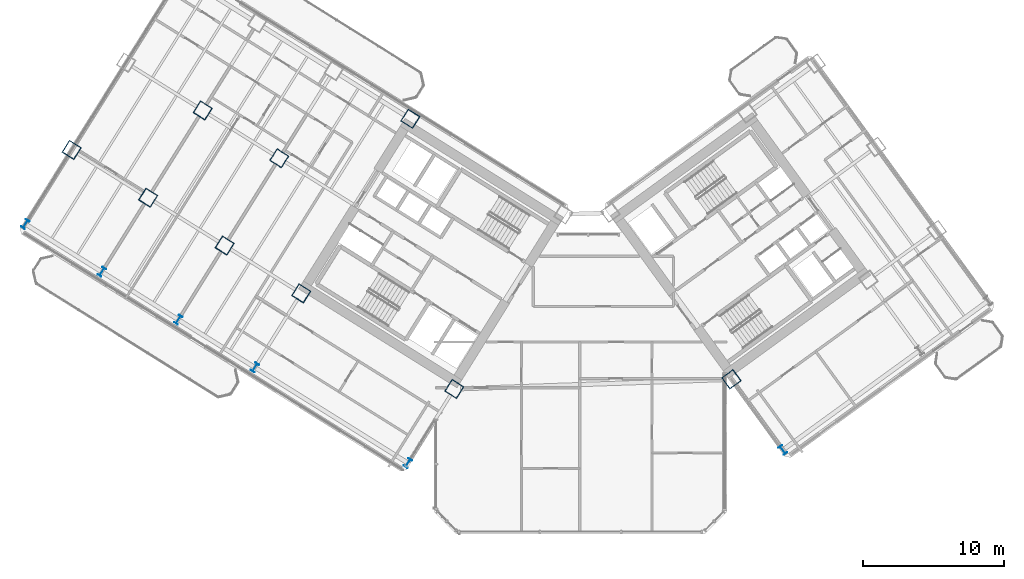
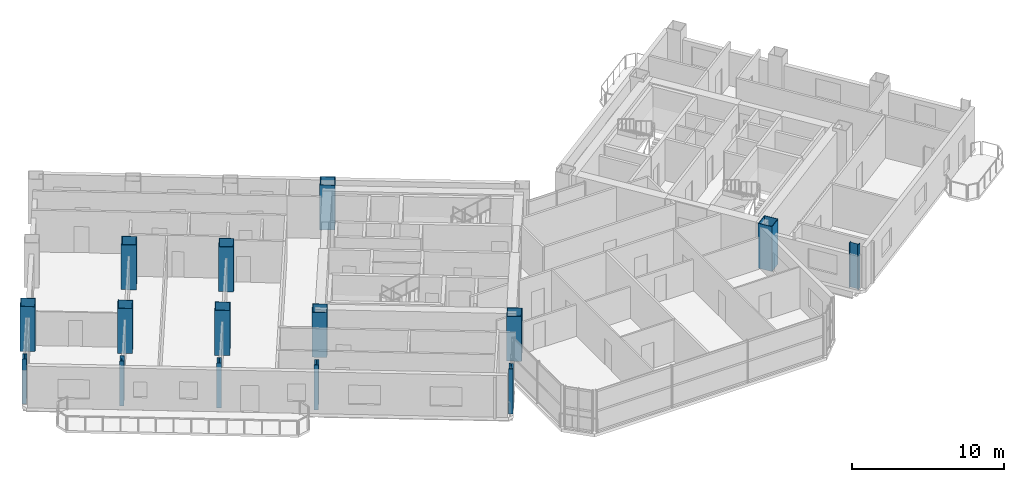
# One storey, part 1 of 28: 15 columns.
"""IFC4 building model written with IfcOpenShell, lengths in metres."""

from ifc_helpers import new_model, si_unit, direction, frame, origin, origin_2d, place, context, subcontext, project, spatial, hollow_rectangle, i_section, extrude, source, transform, mapped, material, material_profile, profile_set, type_object, element, save


model = new_model("IFC4")

# Units and contexts
model_context = context("Model", 3, precision=1e-05, world=origin(), true_north=direction((0.0, 1.0)))
body_context = subcontext(model_context, "Body", "Model", "MODEL_VIEW")
ifc_project = project(units=[si_unit("LENGTHUNIT", "METRE"), si_unit("AREAUNIT", "SQUARE_METRE"), si_unit("VOLUMEUNIT", "CUBIC_METRE"), si_unit("PLANEANGLEUNIT", "RADIAN"), si_unit("MASSUNIT", "GRAM", prefix="KILO")], contexts=[model_context])

# Site, building, storey
site_placement = place(None, origin())
site = spatial("IfcSite", under=ifc_project, at=site_placement, CompositionType="ELEMENT")
building_placement = place(site_placement, origin())
building = spatial("IfcBuilding", under=site, at=building_placement, Name="Tlacorven Tower", CompositionType="ELEMENT")
storey_placement = place(building_placement, frame((0.0, 0.0, 42.0)))
storey = spatial("IfcBuildingStorey", under=building, at=storey_placement, Name="L10", CompositionType="ELEMENT", Elevation=42.0)

# Columns
ifc_material = material(Name="Steel S460M", Category="steel")
ifc_material_profile_1 = material_profile(ifc_material, hollow_rectangle(XDim=1.0, YDim=1.0, WallThickness=0.0400390625, at=origin_2d()), Name="BOX 1000X1000X40")
ifc_profile_set_1 = profile_set([ifc_material_profile_1], Name="Steel S460M")
column_type_1 = type_object("IfcColumnType", Name="COL-TWR-S1", PredefinedType="COLUMN", material=ifc_profile_set_1)
shared_shape_1 = source(origin(), body_context, "Body", "SweptSolid", [
    extrude(hollow_rectangle(XDim=1.0, YDim=1.0, WallThickness=0.0400390625, at=origin_2d()), origin(), (0.0, 0.0, 1.0), 3.60009765625),
])
for number, where, z_axis, x_axis, name in (
    (1, (33.046142578125, 12.0869140625, 0.0), (0.0, 0.0, 1.0), (-0.848048096156, 0.529919264233, 0.0), "L10 column COL-L10-W1-3"),
    (2, (29.927978515625, 31.25146484375, 0.0), (0.0, 0.0, 1.0), (-0.848048096156, 0.529919264233, 0.0), "L10 column COL-L10-W3-1"),
    (3, (22.191162109375, 18.869873046875, 0.0), (0.0, 0.0, 1.0), (-0.848048096156, 0.529919264233, 0.0), "L10 column COL-L10-W3-3"),
    (4, (20.632080078125, 28.4521484375, 0.0), (0.0, 0.0, 1.0), (-0.848048096156, 0.529919264233, 0.0), "L10 column COL-L10-W4-2"),
    (5, (16.763671875, 22.26123046875, 0.0), (0.0, 0.0, 1.0), (-0.848048096156, 0.529919264233, 0.0), "L10 column COL-L10-W4-3"),
    (6, (15.20458984375, 31.843505859375, 0.0), (0.0, 0.0, 1.0), (-0.848048096156, 0.529919264233, 0.0), "L10 column COL-L10-W5-2"),
    (7, (11.336181640625, 25.65283203125, 0.0), (0.0, 0.0, 1.0), (-0.848048096156, 0.529919264233, 0.0), "L10 column COL-L10-W5-3"),
    (8, (5.90869140625, 29.044189453125, 0.0), (0.0, 0.0, 1.0), (-0.848048096156, 0.529919264233, 0.0), "L10 column COL-L10-W6-3"),
    (9, (52.705322265625, 12.7734375, 0.0), (0.0, 0.0, 1.0), (0.809016994375, 0.587785252292, 0.0), "L10 column COL-L10-E1-2"),
):
    element("IfcColumn", number, at=place(storey_placement, frame(where, z_axis=z_axis, x_axis=x_axis)), inside=storey, type_object=column_type_1, Name=name, PredefinedType="COLUMN", context=body_context, shape_type="MappedRepresentation", body=[
        mapped(shared_shape_1, transform((0.0, 0.0, 0.0), scale=1.0)),
    ])
ifc_material_profile_2 = material_profile(ifc_material, i_section(OverallWidth=0.300048828125, OverallDepth=0.64990234375, WebThickness=0.01611328125, FlangeThickness=0.031005859375, at=origin_2d()), Name="HEB 650")
ifc_profile_set_2 = profile_set([ifc_material_profile_2], Name="Steel S460M")
column_type_2 = type_object("IfcColumnType", Name="COL-TWR-P1", PredefinedType="COLUMN", material=ifc_profile_set_2)
shared_shape_2 = source(origin(), body_context, "Body", "SweptSolid", [
    extrude(i_section(OverallWidth=0.300048828125, OverallDepth=0.64990234375, WebThickness=0.01611328125, FlangeThickness=0.031005859375, at=origin_2d()), origin(), (0.0, 0.0, 1.0), 3.60009765625),
])
for number, where, z_axis, x_axis, name in (
    (10, (29.7607421875, 6.8291015625, 0.0), (0.0, 0.0, 1.0), (-0.848048096156, 0.529919264233, 0.0), "L10 column COL-L10-W1-4"),
    (11, (18.905517578125, 13.612060546875, 0.0), (0.0, 0.0, 1.0), (-0.848048096156, 0.529919264233, 0.0), "L10 column COL-L10-W3-4"),
    (12, (13.47802734375, 17.00341796875, 0.0), (0.0, 0.0, 1.0), (-0.848048096156, 0.529919264233, 0.0), "L10 column COL-L10-W4-4"),
    (13, (8.050537109375, 20.39501953125, 0.0), (0.0, 0.0, 1.0), (-0.848048096156, 0.529919264233, 0.0), "L10 column COL-L10-W5-4"),
    (14, (2.623046875, 23.786376953125, 0.0), (0.0, 0.0, 1.0), (-0.848048096156, 0.529919264233, 0.0), "L10 column COL-L10-W6-4"),
    (15, (56.349609375, 7.757568359375, 0.0), (0.0, 0.0, 1.0), (0.809016994375, 0.587785252292, 0.0), "L10 column COL-L10-E1-1"),
):
    element("IfcColumn", number, at=place(storey_placement, frame(where, z_axis=z_axis, x_axis=x_axis)), inside=storey, type_object=column_type_2, Name=name, PredefinedType="COLUMN", context=body_context, shape_type="MappedRepresentation", body=[
        mapped(shared_shape_2, transform((0.0, 0.0, 0.0), scale=1.0)),
    ])

save(model, "model.ifc")
